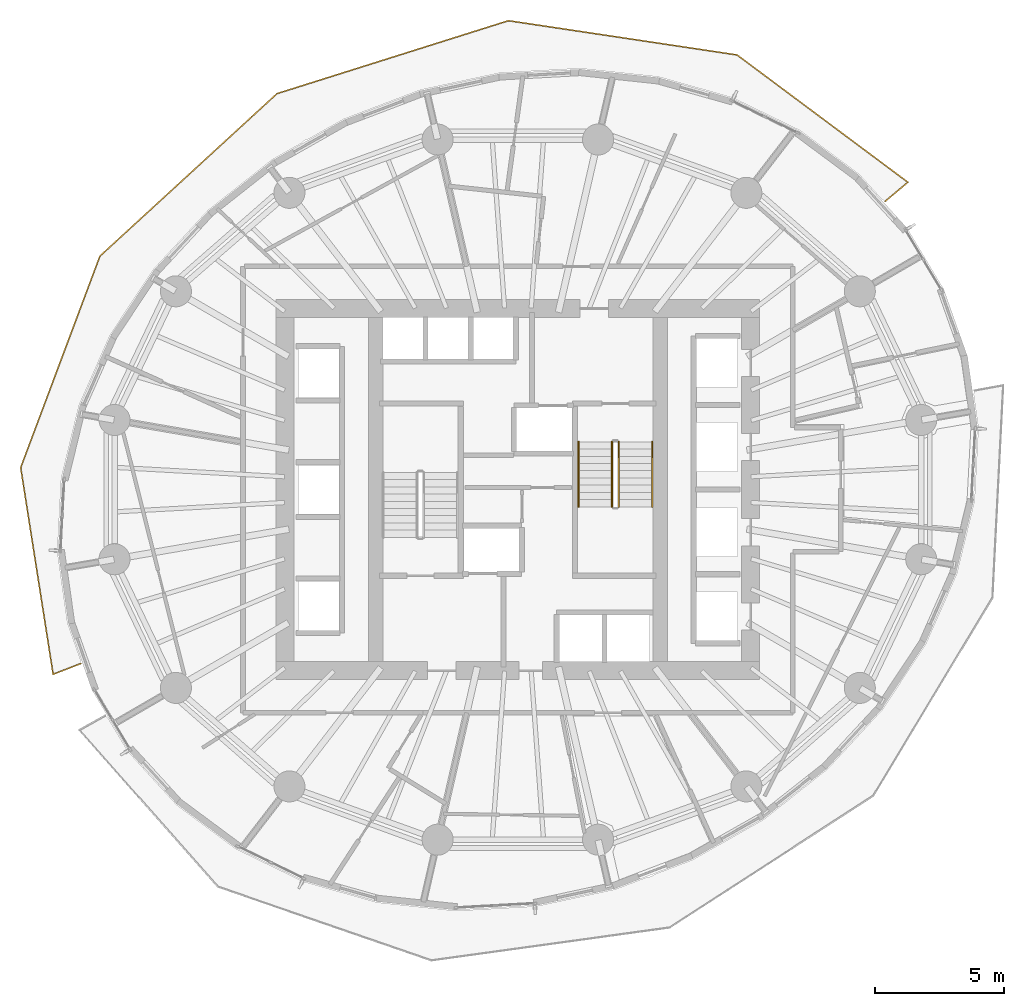
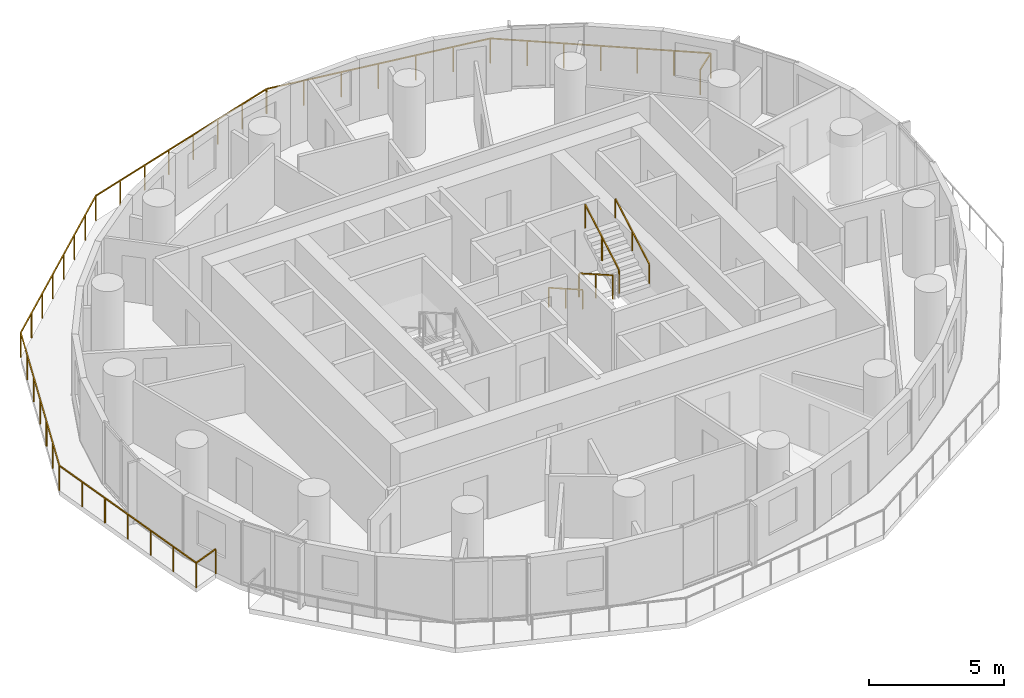
# One storey, part 14 of 15: 5 railings.
"""IFC4 building model written with IfcOpenShell, lengths in metres."""

from ifc_helpers import new_model, si_unit, direction, frame, origin, origin_2d, place, context, subcontext, project, spatial, rectangle, extrude, material, type_object, element, save


model = new_model("IFC4")

# Units and contexts
model_context = context("Model", 3, precision=1e-05, world=origin(), true_north=direction((0.0, 1.0)))
body_context = subcontext(model_context, "Body", "Model", "MODEL_VIEW")
ifc_project = project(units=[si_unit("LENGTHUNIT", "METRE"), si_unit("AREAUNIT", "SQUARE_METRE"), si_unit("VOLUMEUNIT", "CUBIC_METRE"), si_unit("PLANEANGLEUNIT", "RADIAN"), si_unit("MASSUNIT", "GRAM", prefix="KILO")], contexts=[model_context])

# Site, building, storey
site_placement = place(None, origin())
site = spatial("IfcSite", under=ifc_project, at=site_placement, CompositionType="ELEMENT")
building_placement = place(site_placement, origin())
building = spatial("IfcBuilding", under=site, at=building_placement, Name="Veldorim Arch Residences", CompositionType="ELEMENT")
storey_placement = place(building_placement, frame((0.0, 0.0, 109.280029296875)))
storey = spatial("IfcBuildingStorey", under=building, at=storey_placement, Name="L32", CompositionType="ELEMENT", Elevation=109.280029296875)

# Railings
ifc_material_1 = material(Name="Aluminium", Category="aluminium")
railing_type_1 = type_object("IfcRailingType", Name="Balcony & Terrace Laminated Glass Balustrade 1150", PredefinedType="BALUSTRADE", material=ifc_material_1)
railing_1_placement = place(storey_placement, frame((46.20166015625, 35.1455078125, 0.0)))
element("IfcRailing", 1, at=railing_1_placement, inside=storey, type_object=railing_type_1, Name="L32 crescent balcony safety balustrade A", PredefinedType="BALUSTRADE", context=body_context, shape_type="SweptSolid", body=[
    extrude(rectangle(XDim=0.048095703125, YDim=0.048095703125, at=origin_2d()), frame((0.0, 0.0, 1.1259765625), z_axis=(0.765989188314, 0.642853454051, 0.0), x_axis=(-0.642853454051, 0.765989188314, 0.0)), (0.0, 0.0, 1.0), 1.14990234375),
    extrude(rectangle(XDim=0.048095703125, YDim=0.048095703125, at=origin_2d()), frame((0.880859375, 0.7392578125, 1.1259765625), z_axis=(-0.801806269221, 0.59758405822, 0.0), x_axis=(-0.59758405822, -0.801806269221, 0.0)), (0.0, 0.0, 1.0), 8.2392578125),
    extrude(rectangle(XDim=0.048095703125, YDim=0.048095703125, at=origin_2d()), frame((-5.725341796875, 5.662841796875, 1.1259765625), z_axis=(-0.988952574984, 0.148232265154, 0.0), x_axis=(-0.148232265154, -0.988952574984, 0.0)), (0.0, 0.0, 1.0), 8.938232421875),
    extrude(rectangle(XDim=0.048095703125, YDim=0.048095703125, at=origin_2d()), frame((-14.56494140625, 6.98779296875, 1.1259765625), z_axis=(-0.953757858224, -0.300576026783, 0.0), x_axis=(0.300576026783, -0.953757858224, 0.0)), (0.0, 0.0, 1.0), 9.384765625),
    extrude(rectangle(XDim=0.048095703125, YDim=0.048095703125, at=origin_2d()), frame((-23.515625, 4.1669921875, 1.1259765625), z_axis=(-0.736760351909, -0.676153964608, 0.0), x_axis=(0.676153964608, -0.736760351909, 0.0)), (0.0, 0.0, 1.0), 9.293212890625),
    extrude(rectangle(XDim=0.048095703125, YDim=0.048095703125, at=origin_2d()), frame((-30.362548828125, -2.11669921875, 1.1259765625), z_axis=(-0.350927361337, -0.936402684247, 0.0), x_axis=(0.936402684247, -0.350927361337, 0.0)), (0.0, 0.0, 1.0), 8.733154296875),
    extrude(rectangle(XDim=0.048095703125, YDim=0.048095703125, at=origin_2d()), frame((-33.42724609375, -10.29443359375, 1.1259765625), z_axis=(0.154992596857, -0.987915631478, 0.0), x_axis=(0.987915631478, 0.154992596857, 0.0)), (0.0, 0.0, 1.0), 8.091796875),
    extrude(rectangle(XDim=0.048095703125, YDim=0.048095703125, at=origin_2d()), frame((-32.173095703125, -18.288330078125, 1.1259765625), z_axis=(0.932434312288, 0.361339526301, 0.0), x_axis=(-0.361339526301, 0.932434312288, 0.0)), (0.0, 0.0, 1.0), 1.14990234375),
    extrude(rectangle(XDim=0.0419921875, YDim=0.0419921875, at=origin_2d()), origin(), (0.0, 0.0, 1.0), 1.101806640625),
    extrude(rectangle(XDim=0.0419921875, YDim=0.0419921875, at=origin_2d()), frame((0.880859375, 0.7392578125, 0.0)), (0.0, 0.0, 1.0), 1.101806640625),
    extrude(rectangle(XDim=0.0419921875, YDim=0.0419921875, at=origin_2d()), frame((-0.22021484375, 1.559814453125, 0.0)), (0.0, 0.0, 1.0), 1.101806640625),
    extrude(rectangle(XDim=0.0419921875, YDim=0.0419921875, at=origin_2d()), frame((-1.3212890625, 2.38037109375, 0.0)), (0.0, 0.0, 1.0), 1.101806640625),
    extrude(rectangle(XDim=0.0419921875, YDim=0.0419921875, at=origin_2d()), frame((-2.42236328125, 3.201171875, 0.0)), (0.0, 0.0, 1.0), 1.101806640625),
    extrude(rectangle(XDim=0.0419921875, YDim=0.0419921875, at=origin_2d()), frame((-3.523193359375, 4.021728515625, 0.0)), (0.0, 0.0, 1.0), 1.101806640625),
    extrude(rectangle(XDim=0.0419921875, YDim=0.0419921875, at=origin_2d()), frame((-4.624267578125, 4.84228515625, 0.0)), (0.0, 0.0, 1.0), 1.101806640625),
    extrude(rectangle(XDim=0.0419921875, YDim=0.0419921875, at=origin_2d()), frame((-5.725341796875, 5.662841796875, 0.0)), (0.0, 0.0, 1.0), 1.101806640625),
    extrude(rectangle(XDim=0.0419921875, YDim=0.0419921875, at=origin_2d()), frame((-7.19873046875, 5.8837890625, 0.0)), (0.0, 0.0, 1.0), 1.101806640625),
    extrude(rectangle(XDim=0.0419921875, YDim=0.0419921875, at=origin_2d()), frame((-8.671875, 6.1044921875, 0.0)), (0.0, 0.0, 1.0), 1.101806640625),
    extrude(rectangle(XDim=0.0419921875, YDim=0.0419921875, at=origin_2d()), frame((-10.14501953125, 6.3251953125, 0.0)), (0.0, 0.0, 1.0), 1.101806640625),
    extrude(rectangle(XDim=0.0419921875, YDim=0.0419921875, at=origin_2d()), frame((-11.618408203125, 6.546142578125, 0.0)), (0.0, 0.0, 1.0), 1.101806640625),
    extrude(rectangle(XDim=0.0419921875, YDim=0.0419921875, at=origin_2d()), frame((-13.091796875, 6.76708984375, 0.0)), (0.0, 0.0, 1.0), 1.101806640625),
    extrude(rectangle(XDim=0.0419921875, YDim=0.0419921875, at=origin_2d()), frame((-14.56494140625, 6.98779296875, 0.0)), (0.0, 0.0, 1.0), 1.101806640625),
    extrude(rectangle(XDim=0.0419921875, YDim=0.0419921875, at=origin_2d()), frame((-15.843505859375, 6.584716796875, 0.0)), (0.0, 0.0, 1.0), 1.101806640625),
    extrude(rectangle(XDim=0.0419921875, YDim=0.0419921875, at=origin_2d()), frame((-17.122314453125, 6.181884765625, 0.0)), (0.0, 0.0, 1.0), 1.101806640625),
    extrude(rectangle(XDim=0.0419921875, YDim=0.0419921875, at=origin_2d()), frame((-18.40087890625, 5.77880859375, 0.0)), (0.0, 0.0, 1.0), 1.101806640625),
    extrude(rectangle(XDim=0.0419921875, YDim=0.0419921875, at=origin_2d()), frame((-19.6796875, 5.3759765625, 0.0)), (0.0, 0.0, 1.0), 1.101806640625),
    extrude(rectangle(XDim=0.0419921875, YDim=0.0419921875, at=origin_2d()), frame((-20.958251953125, 4.972900390625, 0.0)), (0.0, 0.0, 1.0), 1.101806640625),
    extrude(rectangle(XDim=0.0419921875, YDim=0.0419921875, at=origin_2d()), frame((-22.237060546875, 4.570068359375, 0.0)), (0.0, 0.0, 1.0), 1.101806640625),
    extrude(rectangle(XDim=0.0419921875, YDim=0.0419921875, at=origin_2d()), frame((-23.515625, 4.1669921875, 0.0)), (0.0, 0.0, 1.0), 1.101806640625),
    extrude(rectangle(XDim=0.0419921875, YDim=0.0419921875, at=origin_2d()), frame((-24.49365234375, 3.269287109375, 0.0)), (0.0, 0.0, 1.0), 1.101806640625),
    extrude(rectangle(XDim=0.0419921875, YDim=0.0419921875, at=origin_2d()), frame((-25.471923828125, 2.37158203125, 0.0)), (0.0, 0.0, 1.0), 1.101806640625),
    extrude(rectangle(XDim=0.0419921875, YDim=0.0419921875, at=origin_2d()), frame((-26.449951171875, 1.473876953125, 0.0)), (0.0, 0.0, 1.0), 1.101806640625),
    extrude(rectangle(XDim=0.0419921875, YDim=0.0419921875, at=origin_2d()), frame((-27.42822265625, 0.576416015625, 0.0)), (0.0, 0.0, 1.0), 1.101806640625),
    extrude(rectangle(XDim=0.0419921875, YDim=0.0419921875, at=origin_2d()), frame((-28.40625, -0.3212890625, 0.0)), (0.0, 0.0, 1.0), 1.101806640625),
    extrude(rectangle(XDim=0.0419921875, YDim=0.0419921875, at=origin_2d()), frame((-29.384521484375, -1.218994140625, 0.0)), (0.0, 0.0, 1.0), 1.101806640625),
    extrude(rectangle(XDim=0.0419921875, YDim=0.0419921875, at=origin_2d()), frame((-30.362548828125, -2.11669921875, 0.0)), (0.0, 0.0, 1.0), 1.101806640625),
    extrude(rectangle(XDim=0.0419921875, YDim=0.0419921875, at=origin_2d()), frame((-30.873291015625, -3.479736328125, 0.0)), (0.0, 0.0, 1.0), 1.101806640625),
    extrude(rectangle(XDim=0.0419921875, YDim=0.0419921875, at=origin_2d()), frame((-31.384033203125, -4.842529296875, 0.0)), (0.0, 0.0, 1.0), 1.101806640625),
    extrude(rectangle(XDim=0.0419921875, YDim=0.0419921875, at=origin_2d()), frame((-31.89501953125, -6.20556640625, 0.0)), (0.0, 0.0, 1.0), 1.101806640625),
    extrude(rectangle(XDim=0.0419921875, YDim=0.0419921875, at=origin_2d()), frame((-32.40576171875, -7.568603515625, 0.0)), (0.0, 0.0, 1.0), 1.101806640625),
    extrude(rectangle(XDim=0.0419921875, YDim=0.0419921875, at=origin_2d()), frame((-32.91650390625, -8.931396484375, 0.0)), (0.0, 0.0, 1.0), 1.101806640625),
    extrude(rectangle(XDim=0.0419921875, YDim=0.0419921875, at=origin_2d()), frame((-33.42724609375, -10.29443359375, 0.0)), (0.0, 0.0, 1.0), 1.101806640625),
    extrude(rectangle(XDim=0.0419921875, YDim=0.0419921875, at=origin_2d()), frame((-33.21826171875, -11.626708984375, 0.0)), (0.0, 0.0, 1.0), 1.101806640625),
    extrude(rectangle(XDim=0.0419921875, YDim=0.0419921875, at=origin_2d()), frame((-33.00927734375, -12.958984375, 0.0)), (0.0, 0.0, 1.0), 1.101806640625),
    extrude(rectangle(XDim=0.0419921875, YDim=0.0419921875, at=origin_2d()), frame((-32.80029296875, -14.29150390625, 0.0)), (0.0, 0.0, 1.0), 1.101806640625),
    extrude(rectangle(XDim=0.0419921875, YDim=0.0419921875, at=origin_2d()), frame((-32.591064453125, -15.623779296875, 0.0)), (0.0, 0.0, 1.0), 1.101806640625),
    extrude(rectangle(XDim=0.0419921875, YDim=0.0419921875, at=origin_2d()), frame((-32.382080078125, -16.9560546875, 0.0)), (0.0, 0.0, 1.0), 1.101806640625),
    extrude(rectangle(XDim=0.0419921875, YDim=0.0419921875, at=origin_2d()), frame((-32.173095703125, -18.288330078125, 0.0)), (0.0, 0.0, 1.0), 1.101806640625),
    extrude(rectangle(XDim=0.0419921875, YDim=0.0419921875, at=origin_2d()), frame((-31.100830078125, -17.872802734375, 0.0)), (0.0, 0.0, 1.0), 1.101806640625),
])
ifc_material_2 = material(Name="Steel S355", Category="steel")
railing_type_2 = type_object("IfcRailingType", Name="Galvanised Steel Stair Safety Guardrail 1100", PredefinedType="GUARDRAIL", material=ifc_material_2)
railing_2_placement = place(storey_placement, frame((35.639892578125, 25.85009765625, 0.159912109375)))
element("IfcRailing", 2, at=railing_2_placement, inside=storey, type_object=railing_type_2, Name="L32 ST-2 stair guard 1", PredefinedType="GUARDRAIL", context=body_context, shape_type="SweptSolid", body=[
    extrude(rectangle(XDim=0.048095703125, YDim=0.048095703125, at=origin_2d()), frame((0.0, 0.0, 1.076171875), z_axis=(0.0, -0.868253494771, 0.496120820787), x_axis=(1.0, 0.0, 0.0)), (0.0, 0.0, 1.0), 2.90234375),
    extrude(rectangle(XDim=0.0419921875, YDim=0.0419921875, at=origin_2d()), origin(), (0.0, 0.0, 1.0), 1.052001953125),
    extrude(rectangle(XDim=0.0419921875, YDim=0.0419921875, at=origin_2d()), frame((0.0, -1.260009765625, 0.719970703125)), (0.0, 0.0, 1.0), 1.052001953125),
    extrude(rectangle(XDim=0.0419921875, YDim=0.0419921875, at=origin_2d()), frame((0.0, -2.52001953125, 1.43994140625)), (0.0, 0.0, 1.0), 1.052001953125),
])
railing_3_placement = place(storey_placement, frame((35.89990234375, 23.330078125, 1.760009765625)))
element("IfcRailing", 3, at=railing_3_placement, inside=storey, type_object=railing_type_2, Name="L32 ST-2 stair guard 3", PredefinedType="GUARDRAIL", context=body_context, shape_type="SweptSolid", body=[
    extrude(rectangle(XDim=0.048095703125, YDim=0.048095703125, at=origin_2d()), frame((0.0, 0.0, 1.076171875), z_axis=(0.0, 0.868253494771, 0.496120820787), x_axis=(-1.0, 0.0, 0.0)), (0.0, 0.0, 1.0), 2.90234375),
    extrude(rectangle(XDim=0.0419921875, YDim=0.0419921875, at=origin_2d()), origin(), (0.0, 0.0, 1.0), 1.052001953125),
    extrude(rectangle(XDim=0.0419921875, YDim=0.0419921875, at=origin_2d()), frame((0.0, 1.260009765625, 0.719970703125)), (0.0, 0.0, 1.0), 1.052001953125),
    extrude(rectangle(XDim=0.0419921875, YDim=0.0419921875, at=origin_2d()), frame((0.0, 2.52001953125, 1.43994140625)), (0.0, 0.0, 1.0), 1.052001953125),
])
ifc_material_3 = material(Name="Stainless Steel", Category="steel")
railing_type_3 = type_object("IfcRailingType", Name="Tubular Steel Continuous Wall Handrail 900", PredefinedType="HANDRAIL", material=ifc_material_3)
railing_4_placement = place(storey_placement, frame((34.340087890625, 25.85009765625, 0.159912109375)))
element("IfcRailing", 4, at=railing_4_placement, inside=storey, type_object=railing_type_3, Name="L32 ST-2 stair handrail 1", PredefinedType="HANDRAIL", context=body_context, shape_type="SweptSolid", body=[
    extrude(rectangle(XDim=0.048095703125, YDim=0.048095703125, at=origin_2d()), frame((0.0, 0.0, 0.8759765625), z_axis=(0.0, -0.868253494771, 0.496120820787), x_axis=(1.0, 0.0, 0.0)), (0.0, 0.0, 1.0), 2.90234375),
    extrude(rectangle(XDim=0.0419921875, YDim=0.0419921875, at=origin_2d()), origin(), (0.0, 0.0, 1.0), 0.851806640625),
    extrude(rectangle(XDim=0.0419921875, YDim=0.0419921875, at=origin_2d()), frame((0.0, -1.260009765625, 0.719970703125)), (0.0, 0.0, 1.0), 0.851806640625),
    extrude(rectangle(XDim=0.0419921875, YDim=0.0419921875, at=origin_2d()), frame((0.0, -2.52001953125, 1.43994140625)), (0.0, 0.0, 1.0), 0.851806640625),
])
railing_5_placement = place(storey_placement, frame((37.199951171875, 23.330078125, 1.760009765625)))
element("IfcRailing", 5, at=railing_5_placement, inside=storey, type_object=railing_type_3, Name="L32 ST-2 stair handrail 2", PredefinedType="HANDRAIL", context=body_context, shape_type="SweptSolid", body=[
    extrude(rectangle(XDim=0.048095703125, YDim=0.048095703125, at=origin_2d()), frame((0.0, 0.0, 0.8759765625), z_axis=(0.0, 0.868253494771, 0.496120820787), x_axis=(-1.0, 0.0, 0.0)), (0.0, 0.0, 1.0), 2.90234375),
    extrude(rectangle(XDim=0.0419921875, YDim=0.0419921875, at=origin_2d()), origin(), (0.0, 0.0, 1.0), 0.851806640625),
    extrude(rectangle(XDim=0.0419921875, YDim=0.0419921875, at=origin_2d()), frame((0.0, 1.260009765625, 0.719970703125)), (0.0, 0.0, 1.0), 0.851806640625),
    extrude(rectangle(XDim=0.0419921875, YDim=0.0419921875, at=origin_2d()), frame((0.0, 2.52001953125, 1.43994140625)), (0.0, 0.0, 1.0), 0.851806640625),
])

save(model, "model.ifc")
